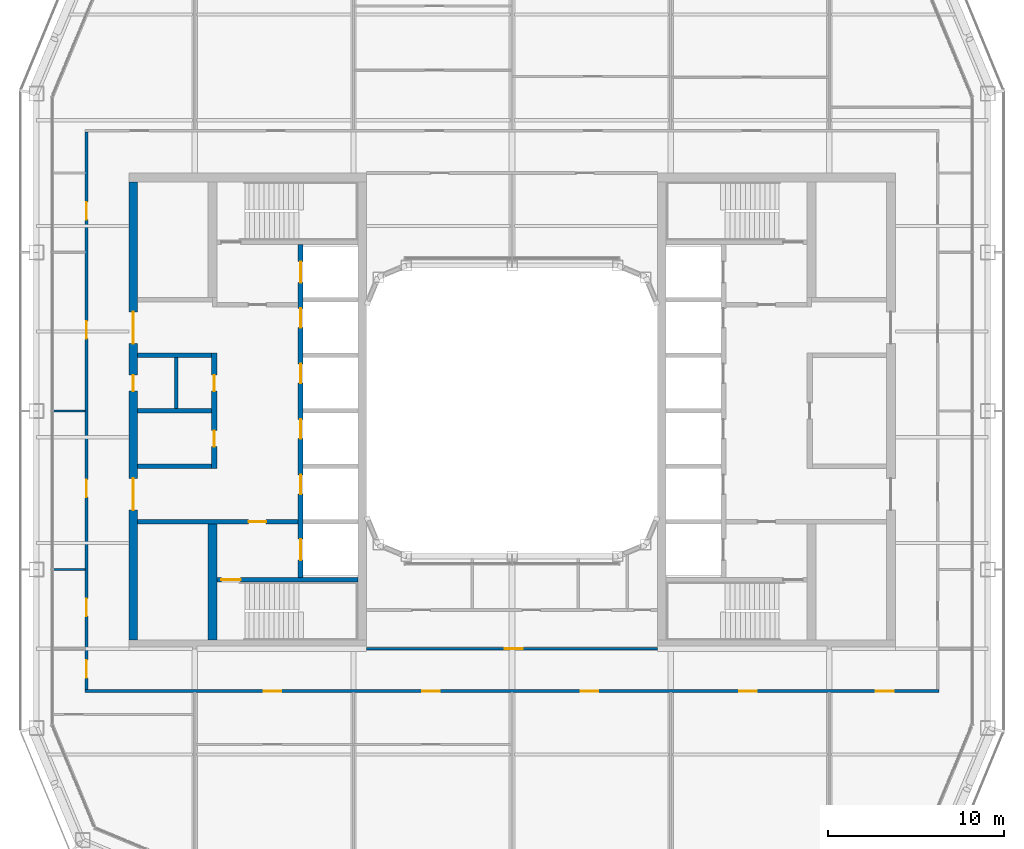
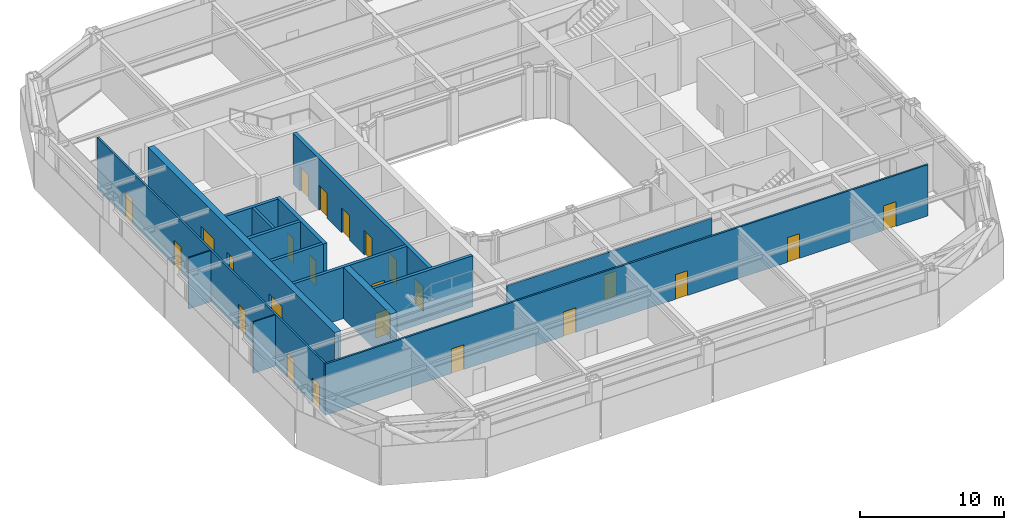
# One storey, part 12 of 19: 24 doors, 15 walls, 24 openings.
"""IFC4 building model written with IfcOpenShell, lengths in metres."""

import ifcopenshell
import ifcopenshell.guid

model = None  # the IFC model being written
_history = None  # IfcOwnerHistory: only IFC2X3 demands one
_inside = {}  # id of a spatial element -> (the spatial element, [elements in it])
_under = {}  # id of a project, library or spatial element -> (it, [spatial elements below it])
_declared = {}  # id of a project -> (the project, [libraries it declares])
_typed = {}  # id of a type object -> (the type object, [elements of that type])
_made_of = {}  # id of a material, layer set ... -> (it, [elements and type objects made of it])


def new_model(schema):
    """Start an empty IFC model of exactly this schema.

    Asked for "IFC4X3", IfcOpenShell would pick the latest addendum, in which some entities
    have other attributes; the version numbers below select the first issue.
    IFC2X3 requires an IfcOwnerHistory on every rooted entity: one is made here for all.
    """
    global model, _history
    if schema == "IFC4X3":
        model = ifcopenshell.file(schema_version=(4, 3, 0, 0))
    else:
        model = ifcopenshell.file(schema=schema)
    _inside.clear()
    _under.clear()
    _declared.clear()
    _typed.clear()
    _made_of.clear()
    _history = None
    if model.schema == "IFC2X3":
        org = make("IfcOrganization", Name="unknown")
        user = make(
            "IfcPersonAndOrganization",
            ThePerson=make("IfcPerson", FamilyName="unknown"),
            TheOrganization=org,
        )
        app = make(
            "IfcApplication",
            ApplicationDeveloper=org,
            Version="unknown",
            ApplicationFullName="unknown",
            ApplicationIdentifier="unknown",
        )
        _history = make(
            "IfcOwnerHistory",
            OwningUser=user,
            OwningApplication=app,
            ChangeAction="ADDED",
            CreationDate=0,
        )
    return model


def make(cls, **values):
    """One entity of the class cls with the attributes given. An attribute that is None is left unset."""
    return model.create_entity(
        cls, **{name: value for name, value in values.items() if value is not None}
    )


def rooted(cls, **values):
    """An entity with a GlobalId (a new one), such as an element, a storey or a relation."""
    return make(cls, GlobalId=ifcopenshell.guid.new(), OwnerHistory=_history, **values)


def si_unit(unit_type, name, prefix=None):
    """IfcSIUnit, for example si_unit("LENGTHUNIT", "METRE", prefix="MILLI")."""
    return make("IfcSIUnit", UnitType=unit_type, Prefix=prefix, Name=name)


def assignment(units):
    """IfcUnitAssignment: the units of a project."""
    return None if units is None else make("IfcUnitAssignment", Units=units)


def point(xyz):
    """IfcCartesianPoint."""
    return None if xyz is None else make("IfcCartesianPoint", Coordinates=xyz)


def direction(xyz):
    """IfcDirection."""
    return None if xyz is None else make("IfcDirection", DirectionRatios=xyz)


def frame(location, z_axis=None, x_axis=None):
    """IfcAxis2Placement3D, a coordinate frame: its origin and axes. An axis left out is left unset."""
    return make(
        "IfcAxis2Placement3D",
        Location=point(location),
        Axis=direction(z_axis),
        RefDirection=direction(x_axis),
    )


def frame_2d(location, x_axis=None):
    """IfcAxis2Placement2D, a coordinate frame in the plane: its origin and x axis."""
    return make(
        "IfcAxis2Placement2D", Location=point(location), RefDirection=direction(x_axis)
    )


def origin():
    """The frame at (0, 0, 0) with its axes left unset."""
    return frame((0.0, 0.0, 0.0))


def place(relative_to, where):
    """IfcLocalPlacement: puts the frame where relative to a parent placement (None: the world)."""
    return make(
        "IfcLocalPlacement", PlacementRelTo=relative_to, RelativePlacement=where
    )


def context(
    kind, dimensions, precision=None, world=None, true_north=None, identifier=None
):
    """IfcGeometricRepresentationContext, for example the 3D "Model" context."""
    return make(
        "IfcGeometricRepresentationContext",
        ContextIdentifier=identifier,
        ContextType=kind,
        CoordinateSpaceDimension=dimensions,
        Precision=precision,
        WorldCoordinateSystem=world,
        TrueNorth=true_north,
    )


def subcontext(parent, identifier, kind, view, scale=None):
    """IfcGeometricRepresentationSubContext, for example "Body" below "Model"."""
    return make(
        "IfcGeometricRepresentationSubContext",
        ContextIdentifier=identifier,
        ContextType=kind,
        ParentContext=parent,
        TargetScale=scale,
        TargetView=view,
    )


def project(units=None, contexts=None):
    """IfcProject with its units and contexts."""
    return rooted(
        "IfcProject",
        Name="project",
        RepresentationContexts=contexts,
        UnitsInContext=assignment(units),
    )


def spatial(cls, under=None, at=None, **own):
    """A site, building, storey or space (cls), placed at a placement, below another one or the project."""
    s = rooted(cls, ObjectPlacement=at, **own)
    if under is not None:
        _under.setdefault(under.id(), (under, []))[1].append(s)
    return s


def profile(cls, at=None, kind="AREA", **sizes):
    """A parametric profile (cls). Its sizes go by their IFC names, for example OverallWidth=200.0."""
    return make(cls, ProfileType=kind, Position=at, **sizes)


def rectangle(**sizes):
    """IfcRectangleProfileDef."""
    return profile("IfcRectangleProfileDef", **sizes)


def extrude(swept, where, along, depth):
    """IfcExtrudedAreaSolid: the profile swept, set in the frame where, extruded along a direction by depth."""
    return make(
        "IfcExtrudedAreaSolid",
        SweptArea=swept,
        Position=where,
        ExtrudedDirection=direction(along),
        Depth=depth,
    )


def shape(context_of_items, identifier, shape_type, items):
    """IfcShapeRepresentation: the items that make up one representation, for example the "Body"."""
    return make(
        "IfcShapeRepresentation",
        ContextOfItems=context_of_items,
        RepresentationIdentifier=identifier,
        RepresentationType=shape_type,
        Items=items,
    )


def material(Name=None, Category=None):
    """IfcMaterial."""
    return make("IfcMaterial", Name=Name, Category=Category)


def layer(
    of_material, thickness, ventilated=None, Name=None, Category=None, Priority=None
):
    """IfcMaterialLayer: one layer of a wall or slab, of a material (None: an air gap)."""
    return make(
        "IfcMaterialLayer",
        Material=of_material,
        LayerThickness=thickness,
        IsVentilated=ventilated,
        Name=Name,
        Category=Category,
        Priority=Priority,
    )


def layer_set(layers, Name=None):
    """IfcMaterialLayerSet."""
    return make("IfcMaterialLayerSet", MaterialLayers=layers, LayerSetName=Name)


def made_of(thing, what):
    """Note that an element or type object is made of a material, layer set ...; save() writes the relation."""
    if what is not None:
        _made_of.setdefault(what.id(), (what, []))[1].append(thing)
    return thing


def type_object(cls, material=None, **own):
    """A type object (cls), such as IfcWallType, which elements share."""
    return made_of(rooted(cls, **own), material)


def element(
    cls,
    number,
    at=None,
    inside=None,
    cuts=None,
    type_object=None,
    material=None,
    context=None,
    identifier="Body",
    shape_type=None,
    held_by="IfcProductDefinitionShape",
    body=None,
    shapes=None,
    **own,
):
    """One element of the class cls, such as IfcWall. Its Tag is "e" and its number.

    at: its placement. inside: the storey or other place that contains it. cuts: it is an
    opening in that element (IfcRelVoidsElement). A single representation is given by context,
    identifier, shape_type and body (its items); several are given by shapes. held_by: the class
    of the entity that holds the representations. save() writes the other relations.
    """
    e = rooted(cls, Tag="e%d" % number, ObjectPlacement=at, **own)
    if body is not None:
        shapes = [shape(context, identifier, shape_type, body)]
    if shapes is not None:
        e.Representation = make(held_by, Representations=shapes)
    if inside is not None:
        _inside.setdefault(inside.id(), (inside, []))[1].append(e)
    if cuts is not None:
        rooted(
            "IfcRelVoidsElement", RelatingBuildingElement=cuts, RelatedOpeningElement=e
        )
    if type_object is not None:
        _typed.setdefault(type_object.id(), (type_object, []))[1].append(e)
    return made_of(e, material)


def fill(opening, filler):
    """IfcRelFillsElement: the door or window that sits in an opening."""
    return rooted(
        "IfcRelFillsElement",
        RelatingOpeningElement=opening,
        RelatedBuildingElement=filler,
    )


def aggregate(whole, parts):
    """IfcRelAggregates: a whole, such as a stair, and the parts it consists of."""
    return rooted("IfcRelAggregates", RelatingObject=whole, RelatedObjects=parts)


def save(model, path):
    """Write the relations noted so far, then the file.

    IfcRelAggregates (storeys below a building ...), IfcRelContainedInSpatialStructure (elements
    in a storey), IfcRelDefinesByType, IfcRelAssociatesMaterial and IfcRelDeclares: one each for
    every whole, place, type object, material and project.
    """
    for whole, parts in _under.values():
        aggregate(whole, parts)
    for where, things in _inside.values():
        rooted(
            "IfcRelContainedInSpatialStructure",
            RelatedElements=things,
            RelatingStructure=where,
        )
    for kind, things in _typed.values():
        rooted("IfcRelDefinesByType", RelatedObjects=things, RelatingType=kind)
    for what, things in _made_of.values():
        rooted("IfcRelAssociatesMaterial", RelatedObjects=things, RelatingMaterial=what)
    for by, libraries in _declared.values():
        rooted("IfcRelDeclares", RelatingContext=by, RelatedDefinitions=libraries)
    model.write(path)


model = new_model("IFC4")

# Units and contexts
model_context = context("Model", 3, precision=1e-05, world=origin(), true_north=direction((0.0, 1.0)))
body_context = subcontext(model_context, "Body", "Model", "MODEL_VIEW")
ifc_project = project(units=[si_unit("LENGTHUNIT", "METRE"), si_unit("AREAUNIT", "SQUARE_METRE"), si_unit("VOLUMEUNIT", "CUBIC_METRE"), si_unit("PLANEANGLEUNIT", "RADIAN"), si_unit("MASSUNIT", "GRAM", prefix="KILO")], contexts=[model_context])

# Site, building, storey
site_placement = place(None, origin())
site = spatial("IfcSite", under=ifc_project, at=site_placement, CompositionType="ELEMENT")
building_placement = place(site_placement, origin())
building = spatial("IfcBuilding", under=site, at=building_placement, Name="Siwar Civic Tower", CompositionType="ELEMENT")
storey_placement = place(building_placement, frame((0.0, 0.0, 210.699951171875)))
storey = spatial("IfcBuildingStorey", under=building, at=storey_placement, Name="L45", CompositionType="ELEMENT", Elevation=210.699951171875)

# Wall
ifc_material_1 = material(Name="Gypsum board on steel studs", Category="steel")
ifc_layer_1 = layer(ifc_material_1, 0.199951171875)
ifc_layer_set_1 = layer_set([ifc_layer_1], Name="Gypsum board on steel studs")
wall_type_1 = type_object("IfcWallType", Name="CORE-PARTITION-200", PredefinedType="PARTITIONING", material=ifc_layer_set_1)
wall_1_placement = place(storey_placement, frame((-19.050048828125, 0.125, 0.0), z_axis=(0.0, 0.0, 1.0), x_axis=(0.0, 1.0, 0.0)))
element("IfcWall", 1, at=wall_1_placement, inside=storey, type_object=wall_type_1, Name="Core partition W", PredefinedType="PARTITIONING", context=body_context, shape_type="SweptSolid", body=[
    extrude(rectangle(XDim=2.89990234375, YDim=0.199951171875, at=frame_2d((1.449951171875, 0.0))), origin(), (0.0, 0.0, 1.0), 4.35009765625),
])

# Wall, opening, door
ifc_material_2 = material(Name="Concrete C60/75", Category="concrete")
ifc_layer_2 = layer(ifc_material_2, 0.25)
ifc_layer_set_2 = layer_set([ifc_layer_2], Name="Concrete C60/75")
wall_type_2 = type_object("IfcWallType", Name="CORE-WALL-RC250", PredefinedType="SHEAR", material=ifc_layer_set_2)
wall_2_placement = place(storey_placement, frame((-12.14990234375, -6.300048828125, 0.0), z_axis=(0.0, 0.0, 1.0), x_axis=(-1.0, 0.0, 0.0)))
wall_2 = element("IfcWall", 2, at=wall_2_placement, inside=storey, type_object=wall_type_2, Name="Core wall W", PredefinedType="SHEAR", context=body_context, shape_type="SweptSolid", body=[
    extrude(rectangle(XDim=9.10009765625, YDim=0.25, at=frame_2d((4.550048828125, 0.0))), origin(), (0.0, 0.0, 1.0), 4.35009765625),
])
opening_1_placement = place(wall_2_placement, frame((1.800048828125, 0.0, 0.0)))
opening_1 = element("IfcOpeningElement", 3, at=opening_1_placement, cuts=wall_2, Name="Opening L45-CW02", PredefinedType="OPENING", context=body_context, shape_type="SweptSolid", body=[
    extrude(rectangle(XDim=1.0, YDim=2.10009765625, at=frame_2d((0.5, 1.050048828125))), frame((0.0, 0.135009765625, 0.0), z_axis=(0.0, -1.0, 0.0), x_axis=(1.0, 0.0, 0.0)), (0.0, 0.0, 1.0), 0.27001953125),
])
ifc_material_3 = material(Name="Steel door leaf", Category="steel")
door_type_1 = type_object("IfcDoorType", Name="CORE-DOOR-FD30S", OperationType="SINGLE_SWING_LEFT", PredefinedType="DOOR", material=ifc_material_3)
door_1_placement = place(opening_1_placement, origin())
door_1 = element("IfcDoor", 4, at=door_1_placement, inside=storey, type_object=door_type_1, Name="Service lobby door L45-CW02", OperationType="SINGLE_SWING_RIGHT", OverallHeight=2.10009765625, OverallWidth=1.0, PredefinedType="DOOR", context=body_context, shape_type="SweptSolid", body=[
    extrude(rectangle(XDim=1.0, YDim=2.10009765625, at=frame_2d((0.5, 1.050048828125))), frame((0.0, 0.02490234375, 0.0), z_axis=(0.0, -1.0, 0.0), x_axis=(1.0, 0.0, 0.0)), (0.0, 0.0, 1.0), 0.050048828125),
])
fill(opening_1, door_1)

# Walls
for number, where, z_axis, x_axis, name in (
    (5, (-17.050048828125, 0.0, 0.0), (0.0, 0.0, 1.0), (-1.0, 0.0, 0.0), "Core wall W"),
    (6, (-17.050048828125, 3.14990234375, 0.0), (0.0, 0.0, 1.0), (-1.0, 0.0, 0.0), "Core wall W"),
    (7, (-17.050048828125, -3.14990234375, 0.0), (0.0, 0.0, 1.0), (-1.0, 0.0, 0.0), "Core wall W"),
):
    element("IfcWall", number, at=place(storey_placement, frame(where, z_axis=z_axis, x_axis=x_axis)), inside=storey, type_object=wall_type_2, Name=name, PredefinedType="SHEAR", context=body_context, shape_type="SweptSolid", body=[
        extrude(rectangle(XDim=4.199951171875, YDim=0.25, at=frame_2d((2.10009765625, 0.0))), origin(), (0.0, 0.0, 1.0), 4.35009765625),
    ])

# Wall, opening, door
wall_3_placement = place(storey_placement, frame((-8.75, -9.574951171875, 0.0), z_axis=(0.0, 0.0, 1.0), x_axis=(-1.0, 0.0, 0.0)))
wall_3 = element("IfcWall", 8, at=wall_3_placement, inside=storey, type_object=wall_type_2, Name="Core wall W", PredefinedType="SHEAR", context=body_context, shape_type="SweptSolid", body=[
    extrude(rectangle(XDim=8.0, YDim=0.25, at=frame_2d((4.0, 0.0))), origin(), (0.0, 0.0, 1.0), 4.35009765625),
])
opening_2_placement = place(wall_3_placement, frame((6.64990234375, 0.0, 0.0)))
opening_2 = element("IfcOpeningElement", 9, at=opening_2_placement, cuts=wall_3, Name="Opening L45-CW04", PredefinedType="OPENING", context=body_context, shape_type="SweptSolid", body=[
    extrude(rectangle(XDim=1.10009765625, YDim=2.10009765625, at=frame_2d((0.550048828125, 1.050048828125))), frame((0.0, 0.135009765625, 0.0), z_axis=(0.0, -1.0, 0.0), x_axis=(1.0, 0.0, 0.0)), (0.0, 0.0, 1.0), 0.27001953125),
])
ifc_material_4 = material(Name="Steel door leaf", Category="steel")
door_type_2 = type_object("IfcDoorType", Name="CORE-DOOR-FD60S", OperationType="SINGLE_SWING_LEFT", PredefinedType="DOOR", material=ifc_material_4)
door_2_placement = place(opening_2_placement, origin())
door_2 = element("IfcDoor", 10, at=door_2_placement, inside=storey, type_object=door_type_2, Name="Stair door L45-CW04", OperationType="SINGLE_SWING_LEFT", OverallHeight=2.10009765625, OverallWidth=1.10009765625, PredefinedType="DOOR", context=body_context, shape_type="SweptSolid", body=[
    extrude(rectangle(XDim=1.10009765625, YDim=2.10009765625, at=frame_2d((0.550048828125, 1.050048828125))), frame((0.0, 0.02490234375, 0.0), z_axis=(0.0, -1.0, 0.0), x_axis=(1.0, 0.0, 0.0)), (0.0, 0.0, 1.0), 0.050048828125),
])
fill(opening_2, door_2)

# Wall, openings, doors
ifc_material_5 = material(Name="Concrete C60/75", Category="concrete")
ifc_layer_3 = layer(ifc_material_5, 0.300048828125)
ifc_layer_set_3 = layer_set([ifc_layer_3], Name="Concrete C60/75")
wall_type_3 = type_object("IfcWallType", Name="CORE-WALL-RC300", PredefinedType="SHEAR", material=ifc_layer_set_3)
wall_4_placement = place(storey_placement, frame((-12.0, -9.449951171875, 0.0), z_axis=(0.0, 0.0, 1.0), x_axis=(0.0, 1.0, 0.0)))
wall_4 = element("IfcWall", 11, at=wall_4_placement, inside=storey, type_object=wall_type_3, Name="Core wall W", PredefinedType="SHEAR", context=body_context, shape_type="SweptSolid", body=[
    extrude(rectangle(XDim=18.89990234375, YDim=0.300048828125, at=frame_2d((9.449951171875, 0.0))), origin(), (0.0, 0.0, 1.0), 4.35009765625),
])
opening_3_placement = place(wall_4_placement, frame((4.72509765625, 0.0, 0.0)))
opening_3 = element("IfcOpeningElement", 12, at=opening_3_placement, cuts=wall_4, Name="Opening L45-CW07", PredefinedType="OPENING", context=body_context, shape_type="SweptSolid", body=[
    extrude(rectangle(XDim=1.10009765625, YDim=2.10009765625, at=frame_2d((0.550048828125, 1.050048828125))), frame((0.0, 0.16015625, 0.0), z_axis=(0.0, -1.0, 0.0), x_axis=(1.0, 0.0, 0.0)), (0.0, 0.0, 1.0), 0.320068359375),
])
opening_4_placement = place(wall_4_placement, frame((7.875, 0.0, 0.0)))
opening_4 = element("IfcOpeningElement", 13, at=opening_4_placement, cuts=wall_4, Name="Opening L45-CW08", PredefinedType="OPENING", context=body_context, shape_type="SweptSolid", body=[
    extrude(rectangle(XDim=1.10009765625, YDim=2.10009765625, at=frame_2d((0.550048828125, 1.050048828125))), frame((0.0, 0.16015625, 0.0), z_axis=(0.0, -1.0, 0.0), x_axis=(1.0, 0.0, 0.0)), (0.0, 0.0, 1.0), 0.320068359375),
])
opening_5_placement = place(wall_4_placement, frame((11.02490234375, 0.0, 0.0)))
opening_5 = element("IfcOpeningElement", 14, at=opening_5_placement, cuts=wall_4, Name="Opening L45-CW09", PredefinedType="OPENING", context=body_context, shape_type="SweptSolid", body=[
    extrude(rectangle(XDim=1.10009765625, YDim=2.10009765625, at=frame_2d((0.550048828125, 1.050048828125))), frame((0.0, 0.16015625, 0.0), z_axis=(0.0, -1.0, 0.0), x_axis=(1.0, 0.0, 0.0)), (0.0, 0.0, 1.0), 0.320068359375),
])
opening_6_placement = place(wall_4_placement, frame((14.175048828125, 0.0, 0.0)))
opening_6 = element("IfcOpeningElement", 15, at=opening_6_placement, cuts=wall_4, Name="Opening L45-CW10", PredefinedType="OPENING", context=body_context, shape_type="SweptSolid", body=[
    extrude(rectangle(XDim=1.10009765625, YDim=2.10009765625, at=frame_2d((0.550048828125, 1.050048828125))), frame((0.0, 0.16015625, 0.0), z_axis=(0.0, -1.0, 0.0), x_axis=(1.0, 0.0, 0.0)), (0.0, 0.0, 1.0), 0.320068359375),
])
opening_7_placement = place(wall_4_placement, frame((16.72509765625, 0.0, 0.0)))
opening_7 = element("IfcOpeningElement", 16, at=opening_7_placement, cuts=wall_4, Name="Opening L45-CW11", PredefinedType="OPENING", context=body_context, shape_type="SweptSolid", body=[
    extrude(rectangle(XDim=1.199951171875, YDim=2.10009765625, at=frame_2d((0.60009765625, 1.050048828125))), frame((0.0, 0.16015625, 0.0), z_axis=(0.0, -1.0, 0.0), x_axis=(1.0, 0.0, 0.0)), (0.0, 0.0, 1.0), 0.320068359375),
])
opening_8_placement = place(wall_4_placement, frame((0.97509765625, 0.0, 0.0)))
opening_8 = element("IfcOpeningElement", 17, at=opening_8_placement, cuts=wall_4, Name="Opening L45-CW12", PredefinedType="OPENING", context=body_context, shape_type="SweptSolid", body=[
    extrude(rectangle(XDim=1.199951171875, YDim=2.10009765625, at=frame_2d((0.60009765625, 1.050048828125))), frame((0.0, 0.16015625, 0.0), z_axis=(0.0, -1.0, 0.0), x_axis=(1.0, 0.0, 0.0)), (0.0, 0.0, 1.0), 0.320068359375),
])
ifc_material_6 = material(Name="Steel door leaf", Category="steel")
door_type_3 = type_object("IfcDoorType", Name="CORE-DOOR-LD", OperationType="DOUBLE_DOOR_SLIDING", PredefinedType="DOOR", material=ifc_material_6)
door_3_placement = place(opening_3_placement, origin())
door_3 = element("IfcDoor", 18, at=door_3_placement, inside=storey, type_object=door_type_3, Name="Landing door HR1 L45-CW07", OperationType="DOUBLE_DOOR_SLIDING", OverallHeight=2.10009765625, OverallWidth=1.10009765625, PredefinedType="DOOR", context=body_context, shape_type="SweptSolid", body=[
    extrude(rectangle(XDim=1.10009765625, YDim=2.10009765625, at=frame_2d((0.550048828125, 1.050048828125))), frame((0.0, 0.02490234375, 0.0), z_axis=(0.0, -1.0, 0.0), x_axis=(1.0, 0.0, 0.0)), (0.0, 0.0, 1.0), 0.050048828125),
])
fill(opening_3, door_3)
door_4_placement = place(opening_4_placement, origin())
door_4 = element("IfcDoor", 19, at=door_4_placement, inside=storey, type_object=door_type_3, Name="Landing door HR2 L45-CW08", OperationType="DOUBLE_DOOR_SLIDING", OverallHeight=2.10009765625, OverallWidth=1.10009765625, PredefinedType="DOOR", context=body_context, shape_type="SweptSolid", body=[
    extrude(rectangle(XDim=1.10009765625, YDim=2.10009765625, at=frame_2d((0.550048828125, 1.050048828125))), frame((0.0, 0.02490234375, 0.0), z_axis=(0.0, -1.0, 0.0), x_axis=(1.0, 0.0, 0.0)), (0.0, 0.0, 1.0), 0.050048828125),
])
fill(opening_4, door_4)
door_5_placement = place(opening_5_placement, origin())
door_5 = element("IfcDoor", 20, at=door_5_placement, inside=storey, type_object=door_type_3, Name="Landing door HR3 L45-CW09", OperationType="DOUBLE_DOOR_SLIDING", OverallHeight=2.10009765625, OverallWidth=1.10009765625, PredefinedType="DOOR", context=body_context, shape_type="SweptSolid", body=[
    extrude(rectangle(XDim=1.10009765625, YDim=2.10009765625, at=frame_2d((0.550048828125, 1.050048828125))), frame((0.0, 0.02490234375, 0.0), z_axis=(0.0, -1.0, 0.0), x_axis=(1.0, 0.0, 0.0)), (0.0, 0.0, 1.0), 0.050048828125),
])
fill(opening_5, door_5)
door_6_placement = place(opening_6_placement, origin())
door_6 = element("IfcDoor", 21, at=door_6_placement, inside=storey, type_object=door_type_3, Name="Landing door HR4 L45-CW10", OperationType="DOUBLE_DOOR_SLIDING", OverallHeight=2.10009765625, OverallWidth=1.10009765625, PredefinedType="DOOR", context=body_context, shape_type="SweptSolid", body=[
    extrude(rectangle(XDim=1.10009765625, YDim=2.10009765625, at=frame_2d((0.550048828125, 1.050048828125))), frame((0.0, 0.02490234375, 0.0), z_axis=(0.0, -1.0, 0.0), x_axis=(1.0, 0.0, 0.0)), (0.0, 0.0, 1.0), 0.050048828125),
])
fill(opening_6, door_6)
ifc_material_7 = material(Name="Steel door leaf", Category="steel")
door_type_4 = type_object("IfcDoorType", Name="CORE-DOOR-LDW", OperationType="DOUBLE_DOOR_SLIDING", PredefinedType="DOOR", material=ifc_material_7)
door_7_placement = place(opening_7_placement, origin())
door_7 = element("IfcDoor", 22, at=door_7_placement, inside=storey, type_object=door_type_4, Name="Landing door FF1 L45-CW11", OperationType="DOUBLE_DOOR_SLIDING", OverallHeight=2.10009765625, OverallWidth=1.199951171875, PredefinedType="DOOR", context=body_context, shape_type="SweptSolid", body=[
    extrude(rectangle(XDim=1.199951171875, YDim=2.10009765625, at=frame_2d((0.60009765625, 1.050048828125))), frame((0.0, 0.02490234375, 0.0), z_axis=(0.0, -1.0, 0.0), x_axis=(1.0, 0.0, 0.0)), (0.0, 0.0, 1.0), 0.050048828125),
])
fill(opening_7, door_7)
door_8_placement = place(opening_8_placement, origin())
door_8 = element("IfcDoor", 23, at=door_8_placement, inside=storey, type_object=door_type_4, Name="Landing door SV1 L45-CW12", OperationType="DOUBLE_DOOR_SLIDING", OverallHeight=2.10009765625, OverallWidth=1.199951171875, PredefinedType="DOOR", context=body_context, shape_type="SweptSolid", body=[
    extrude(rectangle(XDim=1.199951171875, YDim=2.10009765625, at=frame_2d((0.60009765625, 1.050048828125))), frame((0.0, 0.02490234375, 0.0), z_axis=(0.0, -1.0, 0.0), x_axis=(1.0, 0.0, 0.0)), (0.0, 0.0, 1.0), 0.050048828125),
])
fill(opening_8, door_8)

wall_5_placement = place(storey_placement, frame((-16.89990234375, -3.27490234375, 0.0), z_axis=(0.0, 0.0, 1.0), x_axis=(0.0, 1.0, 0.0)))
wall_5 = element("IfcWall", 24, at=wall_5_placement, inside=storey, type_object=wall_type_3, Name="Core wall W", PredefinedType="SHEAR", context=body_context, shape_type="SweptSolid", body=[
    extrude(rectangle(XDim=6.5498046875, YDim=0.300048828125, at=frame_2d((3.27490234375, 0.0))), origin(), (0.0, 0.0, 1.0), 4.35009765625),
])
opening_9_placement = place(wall_5_placement, frame((1.25, 0.0, 0.0)))
opening_9 = element("IfcOpeningElement", 25, at=opening_9_placement, cuts=wall_5, Name="Opening L45-CW13", PredefinedType="OPENING", context=body_context, shape_type="SweptSolid", body=[
    extrude(rectangle(XDim=0.89990234375, YDim=2.10009765625, at=frame_2d((0.449951171875, 1.050048828125))), frame((0.0, 0.16015625, 0.0), z_axis=(0.0, -1.0, 0.0), x_axis=(1.0, 0.0, 0.0)), (0.0, 0.0, 1.0), 0.320068359375),
])
opening_10_placement = place(wall_5_placement, frame((4.39990234375, 0.0, 0.0)))
opening_10 = element("IfcOpeningElement", 26, at=opening_10_placement, cuts=wall_5, Name="Opening L45-CW14", PredefinedType="OPENING", context=body_context, shape_type="SweptSolid", body=[
    extrude(rectangle(XDim=0.89990234375, YDim=2.10009765625, at=frame_2d((0.449951171875, 1.050048828125))), frame((0.0, 0.16015625, 0.0), z_axis=(0.0, -1.0, 0.0), x_axis=(1.0, 0.0, 0.0)), (0.0, 0.0, 1.0), 0.320068359375),
])
ifc_material_8 = material(Name="Steel door leaf", Category="steel")
door_type_5 = type_object("IfcDoorType", Name="CORE-DOOR-ROOM", OperationType="SINGLE_SWING_LEFT", PredefinedType="DOOR", material=ifc_material_8)
door_9_placement = place(opening_9_placement, origin())
door_9 = element("IfcDoor", 27, at=door_9_placement, inside=storey, type_object=door_type_5, Name="Core room door L45-CW13", OperationType="SINGLE_SWING_LEFT", OverallHeight=2.10009765625, OverallWidth=0.89990234375, PredefinedType="DOOR", context=body_context, shape_type="SweptSolid", body=[
    extrude(rectangle(XDim=0.89990234375, YDim=2.10009765625, at=frame_2d((0.449951171875, 1.050048828125))), frame((0.0, 0.02490234375, 0.0), z_axis=(0.0, -1.0, 0.0), x_axis=(1.0, 0.0, 0.0)), (0.0, 0.0, 1.0), 0.050048828125),
])
fill(opening_9, door_9)
door_10_placement = place(opening_10_placement, origin())
door_10 = element("IfcDoor", 28, at=door_10_placement, inside=storey, type_object=door_type_5, Name="Core room door L45-CW14", OperationType="SINGLE_SWING_RIGHT", OverallHeight=2.10009765625, OverallWidth=0.89990234375, PredefinedType="DOOR", context=body_context, shape_type="SweptSolid", body=[
    extrude(rectangle(XDim=0.89990234375, YDim=2.10009765625, at=frame_2d((0.449951171875, 1.050048828125))), frame((0.0, 0.02490234375, 0.0), z_axis=(0.0, -1.0, 0.0), x_axis=(1.0, 0.0, 0.0)), (0.0, 0.0, 1.0), 0.050048828125),
])
fill(opening_10, door_10)

ifc_material_9 = material(Name="Concrete C60/75", Category="concrete")
ifc_layer_4 = layer(ifc_material_9, 0.5)
ifc_layer_set_4 = layer_set([ifc_layer_4], Name="Concrete C60/75")
wall_type_4 = type_object("IfcWallType", Name="CORE-WALL-RC500", PredefinedType="SHEAR", material=ifc_layer_set_4)
wall_6_placement = place(storey_placement, frame((-21.5, -13.0, 0.0), z_axis=(0.0, 0.0, 1.0), x_axis=(0.0, 1.0, 0.0)))
wall_6 = element("IfcWall", 29, at=wall_6_placement, inside=storey, type_object=wall_type_4, Name="Core wall W", PredefinedType="SHEAR", context=body_context, shape_type="SweptSolid", body=[
    extrude(rectangle(XDim=26.0, YDim=0.5, at=frame_2d((13.0, 0.0))), origin(), (0.0, 0.0, 1.0), 4.35009765625),
])
opening_11_placement = place(wall_6_placement, frame((16.824951171875, 0.0, 0.0)))
opening_11 = element("IfcOpeningElement", 30, at=opening_11_placement, cuts=wall_6, Name="Opening L45-CW05", PredefinedType="OPENING", context=body_context, shape_type="SweptSolid", body=[
    extrude(rectangle(XDim=1.800048828125, YDim=2.10009765625, at=frame_2d((0.89990234375, 1.050048828125))), frame((0.0, 0.260009765625, 0.0), z_axis=(0.0, -1.0, 0.0), x_axis=(1.0, 0.0, 0.0)), (0.0, 0.0, 1.0), 0.52001953125),
])
opening_12_placement = place(wall_6_placement, frame((7.375, 0.0, 0.0)))
opening_12 = element("IfcOpeningElement", 31, at=opening_12_placement, cuts=wall_6, Name="Opening L45-CW06", PredefinedType="OPENING", context=body_context, shape_type="SweptSolid", body=[
    extrude(rectangle(XDim=1.800048828125, YDim=2.10009765625, at=frame_2d((0.89990234375, 1.050048828125))), frame((0.0, 0.260009765625, 0.0), z_axis=(0.0, -1.0, 0.0), x_axis=(1.0, 0.0, 0.0)), (0.0, 0.0, 1.0), 0.52001953125),
])
opening_13_placement = place(wall_6_placement, frame((14.125, 0.0, 0.0)))
opening_13 = element("IfcOpeningElement", 32, at=opening_13_placement, cuts=wall_6, Name="Opening L45-CW15", PredefinedType="OPENING", context=body_context, shape_type="SweptSolid", body=[
    extrude(rectangle(XDim=0.89990234375, YDim=2.10009765625, at=frame_2d((0.449951171875, 1.050048828125))), frame((0.0, 0.260009765625, 0.0), z_axis=(0.0, -1.0, 0.0), x_axis=(1.0, 0.0, 0.0)), (0.0, 0.0, 1.0), 0.52001953125),
])
ifc_material_10 = material(Name="Steel door leaf", Category="steel")
door_type_6 = type_object("IfcDoorType", Name="CORE-DOOR-PORT", OperationType="DOUBLE_DOOR_DOUBLE_SWING", PredefinedType="DOOR", material=ifc_material_10)
door_11_placement = place(opening_11_placement, origin())
door_11 = element("IfcDoor", 33, at=door_11_placement, inside=storey, type_object=door_type_6, Name="Core entrance door L45-CW05", OperationType="DOUBLE_DOOR_DOUBLE_SWING", OverallHeight=2.10009765625, OverallWidth=1.800048828125, PredefinedType="DOOR", context=body_context, shape_type="SweptSolid", body=[
    extrude(rectangle(XDim=1.800048828125, YDim=2.10009765625, at=frame_2d((0.89990234375, 1.050048828125))), frame((0.0, 0.02490234375, 0.0), z_axis=(0.0, -1.0, 0.0), x_axis=(1.0, 0.0, 0.0)), (0.0, 0.0, 1.0), 0.050048828125),
])
fill(opening_11, door_11)
door_12_placement = place(opening_12_placement, origin())
door_12 = element("IfcDoor", 34, at=door_12_placement, inside=storey, type_object=door_type_6, Name="Core entrance door L45-CW06", OperationType="DOUBLE_DOOR_DOUBLE_SWING", OverallHeight=2.10009765625, OverallWidth=1.800048828125, PredefinedType="DOOR", context=body_context, shape_type="SweptSolid", body=[
    extrude(rectangle(XDim=1.800048828125, YDim=2.10009765625, at=frame_2d((0.89990234375, 1.050048828125))), frame((0.0, 0.02490234375, 0.0), z_axis=(0.0, -1.0, 0.0), x_axis=(1.0, 0.0, 0.0)), (0.0, 0.0, 1.0), 0.050048828125),
])
fill(opening_12, door_12)
door_13_placement = place(opening_13_placement, origin())
door_13 = element("IfcDoor", 35, at=door_13_placement, inside=storey, type_object=door_type_5, Name="Core room door L45-CW15", OperationType="SINGLE_SWING_LEFT", OverallHeight=2.10009765625, OverallWidth=0.89990234375, PredefinedType="DOOR", context=body_context, shape_type="SweptSolid", body=[
    extrude(rectangle(XDim=0.89990234375, YDim=2.10009765625, at=frame_2d((0.449951171875, 1.050048828125))), frame((0.0, 0.02490234375, 0.0), z_axis=(0.0, -1.0, 0.0), x_axis=(1.0, 0.0, 0.0)), (0.0, 0.0, 1.0), 0.050048828125),
])
fill(opening_13, door_13)

# Wall
wall_7_placement = place(storey_placement, frame((-17.0, -13.0, 0.0), z_axis=(0.0, 0.0, 1.0), x_axis=(0.0, 1.0, 0.0)))
element("IfcWall", 36, at=wall_7_placement, inside=storey, type_object=wall_type_4, Name="Core wall W", PredefinedType="SHEAR", context=body_context, shape_type="SweptSolid", body=[
    extrude(rectangle(XDim=6.574951171875, YDim=0.5, at=frame_2d((3.28759765625, 0.0))), origin(), (0.0, 0.0, 1.0), 4.35009765625),
])

# Wall, openings, doors
ifc_material_11 = material(Name="Gypsum board on steel studs", Category="steel")
ifc_layer_5 = layer(ifc_material_11, 0.14990234375)
ifc_layer_set_5 = layer_set([ifc_layer_5], Name="Gypsum board on steel studs")
wall_type_5 = type_object("IfcWallType", Name="CORRIDOR PARTITION 150 EI 30", PredefinedType="PARTITIONING", material=ifc_layer_set_5)
wall_8_placement = place(storey_placement, frame((-24.22509765625, -15.89990234375, 0.0), z_axis=(0.0, 0.0, 1.0), x_axis=(1.0, 0.0, 0.0)))
wall_8 = element("IfcWall", 37, at=wall_8_placement, inside=storey, type_object=wall_type_5, Name="L45/wall/P03", PredefinedType="PARTITIONING", context=body_context, shape_type="SweptSolid", body=[
    extrude(rectangle(XDim=48.4501953125, YDim=0.14990234375, at=frame_2d((24.22509765625, 0.0))), origin(), (0.0, 0.0, 1.0), 4.35009765625),
])
opening_14_placement = place(wall_8_placement, frame((10.125, 0.0, 0.0)))
opening_14 = element("IfcOpeningElement", 38, at=opening_14_placement, cuts=wall_8, Name="Opening D1", PredefinedType="OPENING", context=body_context, shape_type="SweptSolid", body=[
    extrude(rectangle(XDim=1.0, YDim=2.10009765625, at=frame_2d((0.5, 1.050048828125))), frame((0.0, 0.0849609375, 0.0), z_axis=(0.0, -1.0, 0.0), x_axis=(1.0, 0.0, 0.0)), (0.0, 0.0, 1.0), 0.169921875),
])
opening_15_placement = place(wall_8_placement, frame((19.125, 0.0, 0.0)))
opening_15 = element("IfcOpeningElement", 39, at=opening_15_placement, cuts=wall_8, Name="Opening D1", PredefinedType="OPENING", context=body_context, shape_type="SweptSolid", body=[
    extrude(rectangle(XDim=1.0, YDim=2.10009765625, at=frame_2d((0.5, 1.050048828125))), frame((0.0, 0.0849609375, 0.0), z_axis=(0.0, -1.0, 0.0), x_axis=(1.0, 0.0, 0.0)), (0.0, 0.0, 1.0), 0.169921875),
])
opening_16_placement = place(wall_8_placement, frame((28.125, 0.0, 0.0)))
opening_16 = element("IfcOpeningElement", 40, at=opening_16_placement, cuts=wall_8, Name="Opening D1", PredefinedType="OPENING", context=body_context, shape_type="SweptSolid", body=[
    extrude(rectangle(XDim=1.0, YDim=2.10009765625, at=frame_2d((0.5, 1.050048828125))), frame((0.0, 0.0849609375, 0.0), z_axis=(0.0, -1.0, 0.0), x_axis=(1.0, 0.0, 0.0)), (0.0, 0.0, 1.0), 0.169921875),
])
opening_17_placement = place(wall_8_placement, frame((37.125, 0.0, 0.0)))
opening_17 = element("IfcOpeningElement", 41, at=opening_17_placement, cuts=wall_8, Name="Opening D1", PredefinedType="OPENING", context=body_context, shape_type="SweptSolid", body=[
    extrude(rectangle(XDim=1.0, YDim=2.10009765625, at=frame_2d((0.5, 1.050048828125))), frame((0.0, 0.0849609375, 0.0), z_axis=(0.0, -1.0, 0.0), x_axis=(1.0, 0.0, 0.0)), (0.0, 0.0, 1.0), 0.169921875),
])
opening_18_placement = place(wall_8_placement, frame((44.875, 0.0, 0.0)))
opening_18 = element("IfcOpeningElement", 42, at=opening_18_placement, cuts=wall_8, Name="Opening D1", PredefinedType="OPENING", context=body_context, shape_type="SweptSolid", body=[
    extrude(rectangle(XDim=1.0, YDim=2.10009765625, at=frame_2d((0.5, 1.050048828125))), frame((0.0, 0.0849609375, 0.0), z_axis=(0.0, -1.0, 0.0), x_axis=(1.0, 0.0, 0.0)), (0.0, 0.0, 1.0), 0.169921875),
])
ifc_material_12 = material(Name="Timber, painted", Category="wood")
door_type_7 = type_object("IfcDoorType", Name="DOOR 1000 X 2100 FD30", OperationType="SINGLE_SWING_LEFT", PredefinedType="DOOR", material=ifc_material_12)
door_14_placement = place(opening_14_placement, origin())
door_14 = element("IfcDoor", 43, at=door_14_placement, inside=storey, type_object=door_type_7, Name="L45-D09", OperationType="SINGLE_SWING_LEFT", OverallHeight=2.10009765625, OverallWidth=1.0, PredefinedType="DOOR", context=body_context, shape_type="SweptSolid", body=[
    extrude(rectangle(XDim=1.0, YDim=2.10009765625, at=frame_2d((0.5, 1.050048828125))), frame((0.0, 0.02490234375, 0.0), z_axis=(0.0, -1.0, 0.0), x_axis=(1.0, 0.0, 0.0)), (0.0, 0.0, 1.0), 0.050048828125),
])
fill(opening_14, door_14)
door_15_placement = place(opening_15_placement, origin())
door_15 = element("IfcDoor", 44, at=door_15_placement, inside=storey, type_object=door_type_7, Name="L45-D11", OperationType="SINGLE_SWING_LEFT", OverallHeight=2.10009765625, OverallWidth=1.0, PredefinedType="DOOR", context=body_context, shape_type="SweptSolid", body=[
    extrude(rectangle(XDim=1.0, YDim=2.10009765625, at=frame_2d((0.5, 1.050048828125))), frame((0.0, 0.02490234375, 0.0), z_axis=(0.0, -1.0, 0.0), x_axis=(1.0, 0.0, 0.0)), (0.0, 0.0, 1.0), 0.050048828125),
])
fill(opening_15, door_15)
door_16_placement = place(opening_16_placement, origin())
door_16 = element("IfcDoor", 45, at=door_16_placement, inside=storey, type_object=door_type_7, Name="L45-D13", OperationType="SINGLE_SWING_LEFT", OverallHeight=2.10009765625, OverallWidth=1.0, PredefinedType="DOOR", context=body_context, shape_type="SweptSolid", body=[
    extrude(rectangle(XDim=1.0, YDim=2.10009765625, at=frame_2d((0.5, 1.050048828125))), frame((0.0, 0.02490234375, 0.0), z_axis=(0.0, -1.0, 0.0), x_axis=(1.0, 0.0, 0.0)), (0.0, 0.0, 1.0), 0.050048828125),
])
fill(opening_16, door_16)
door_17_placement = place(opening_17_placement, origin())
door_17 = element("IfcDoor", 46, at=door_17_placement, inside=storey, type_object=door_type_7, Name="L45-D14", OperationType="SINGLE_SWING_RIGHT", OverallHeight=2.10009765625, OverallWidth=1.0, PredefinedType="DOOR", context=body_context, shape_type="SweptSolid", body=[
    extrude(rectangle(XDim=1.0, YDim=2.10009765625, at=frame_2d((0.5, 1.050048828125))), frame((0.0, 0.02490234375, 0.0), z_axis=(0.0, -1.0, 0.0), x_axis=(1.0, 0.0, 0.0)), (0.0, 0.0, 1.0), 0.050048828125),
])
fill(opening_17, door_17)
door_18_placement = place(opening_18_placement, origin())
door_18 = element("IfcDoor", 47, at=door_18_placement, inside=storey, type_object=door_type_7, Name="L45-D20", OperationType="SINGLE_SWING_RIGHT", OverallHeight=2.10009765625, OverallWidth=1.0, PredefinedType="DOOR", context=body_context, shape_type="SweptSolid", body=[
    extrude(rectangle(XDim=1.0, YDim=2.10009765625, at=frame_2d((0.5, 1.050048828125))), frame((0.0, 0.02490234375, 0.0), z_axis=(0.0, -1.0, 0.0), x_axis=(1.0, 0.0, 0.0)), (0.0, 0.0, 1.0), 0.050048828125),
])
fill(opening_18, door_18)

# Wall, opening, door
wall_9_placement = place(storey_placement, frame((-8.25, -13.5, 0.0), z_axis=(0.0, 0.0, 1.0), x_axis=(1.0, 0.0, 0.0)))
wall_9 = element("IfcWall", 48, at=wall_9_placement, inside=storey, type_object=wall_type_5, Name="L45/wall/P06", PredefinedType="PARTITIONING", context=body_context, shape_type="SweptSolid", body=[
    extrude(rectangle(XDim=16.5, YDim=0.14990234375, at=frame_2d((8.25, 0.0))), origin(), (0.0, 0.0, 1.0), 3.949951171875),
])
opening_19_placement = place(wall_9_placement, frame((7.85009765625, 0.0, 0.0)))
opening_19 = element("IfcOpeningElement", 49, at=opening_19_placement, cuts=wall_9, Name="Opening D1", PredefinedType="OPENING", context=body_context, shape_type="SweptSolid", body=[
    extrude(rectangle(XDim=1.0, YDim=2.10009765625, at=frame_2d((0.5, 1.050048828125))), frame((0.0, 0.0849609375, 0.0), z_axis=(0.0, -1.0, 0.0), x_axis=(1.0, 0.0, 0.0)), (0.0, 0.0, 1.0), 0.169921875),
])
door_19_placement = place(opening_19_placement, origin())
door_19 = element("IfcDoor", 50, at=door_19_placement, inside=storey, type_object=door_type_7, Name="L45-D31", OperationType="SINGLE_SWING_LEFT", OverallHeight=2.10009765625, OverallWidth=1.0, PredefinedType="DOOR", context=body_context, shape_type="SweptSolid", body=[
    extrude(rectangle(XDim=1.0, YDim=2.10009765625, at=frame_2d((0.5, 1.050048828125))), frame((0.0, 0.02490234375, 0.0), z_axis=(0.0, -1.0, 0.0), x_axis=(1.0, 0.0, 0.0)), (0.0, 0.0, 1.0), 0.050048828125),
])
fill(opening_19, door_19)

# Wall, openings, doors
wall_10_placement = place(storey_placement, frame((-24.14990234375, -15.824951171875, 0.0), z_axis=(0.0, 0.0, 1.0), x_axis=(0.0, 1.0, 0.0)))
wall_10 = element("IfcWall", 51, at=wall_10_placement, inside=storey, type_object=wall_type_5, Name="L45/wall/P24", PredefinedType="PARTITIONING", context=body_context, shape_type="SweptSolid", body=[
    extrude(rectangle(XDim=31.64990234375, YDim=0.14990234375, at=frame_2d((15.824951171875, 0.0))), origin(), (0.0, 0.0, 1.0), 4.35009765625),
])
opening_20_placement = place(wall_10_placement, frame((0.675048828125, 0.0, 0.0)))
opening_20 = element("IfcOpeningElement", 52, at=opening_20_placement, cuts=wall_10, Name="Opening D1", PredefinedType="OPENING", context=body_context, shape_type="SweptSolid", body=[
    extrude(rectangle(XDim=1.0, YDim=2.10009765625, at=frame_2d((0.5, 1.050048828125))), frame((0.0, 0.0849609375, 0.0), z_axis=(0.0, -1.0, 0.0), x_axis=(1.0, 0.0, 0.0)), (0.0, 0.0, 1.0), 0.169921875),
])
opening_21_placement = place(wall_10_placement, frame((4.175048828125, 0.0, 0.0)))
opening_21 = element("IfcOpeningElement", 53, at=opening_21_placement, cuts=wall_10, Name="Opening D1", PredefinedType="OPENING", context=body_context, shape_type="SweptSolid", body=[
    extrude(rectangle(XDim=1.0, YDim=2.10009765625, at=frame_2d((0.5, 1.050048828125))), frame((0.0, 0.0849609375, 0.0), z_axis=(0.0, -1.0, 0.0), x_axis=(1.0, 0.0, 0.0)), (0.0, 0.0, 1.0), 0.169921875),
])
opening_22_placement = place(wall_10_placement, frame((10.925048828125, 0.0, 0.0)))
opening_22 = element("IfcOpeningElement", 54, at=opening_22_placement, cuts=wall_10, Name="Opening D1", PredefinedType="OPENING", context=body_context, shape_type="SweptSolid", body=[
    extrude(rectangle(XDim=1.0, YDim=2.10009765625, at=frame_2d((0.5, 1.050048828125))), frame((0.0, 0.0849609375, 0.0), z_axis=(0.0, -1.0, 0.0), x_axis=(1.0, 0.0, 0.0)), (0.0, 0.0, 1.0), 0.169921875),
])
opening_23_placement = place(wall_10_placement, frame((19.925048828125, 0.0, 0.0)))
opening_23 = element("IfcOpeningElement", 55, at=opening_23_placement, cuts=wall_10, Name="Opening D1", PredefinedType="OPENING", context=body_context, shape_type="SweptSolid", body=[
    extrude(rectangle(XDim=1.0, YDim=2.10009765625, at=frame_2d((0.5, 1.050048828125))), frame((0.0, 0.0849609375, 0.0), z_axis=(0.0, -1.0, 0.0), x_axis=(1.0, 0.0, 0.0)), (0.0, 0.0, 1.0), 0.169921875),
])
opening_24_placement = place(wall_10_placement, frame((26.675048828125, 0.0, 0.0)))
opening_24 = element("IfcOpeningElement", 56, at=opening_24_placement, cuts=wall_10, Name="Opening D1", PredefinedType="OPENING", context=body_context, shape_type="SweptSolid", body=[
    extrude(rectangle(XDim=1.0, YDim=2.10009765625, at=frame_2d((0.5, 1.050048828125))), frame((0.0, 0.0849609375, 0.0), z_axis=(0.0, -1.0, 0.0), x_axis=(1.0, 0.0, 0.0)), (0.0, 0.0, 1.0), 0.169921875),
])
door_20_placement = place(opening_20_placement, origin())
door_20 = element("IfcDoor", 57, at=door_20_placement, inside=storey, type_object=door_type_7, Name="L45-D18", OperationType="SINGLE_SWING_RIGHT", OverallHeight=2.10009765625, OverallWidth=1.0, PredefinedType="DOOR", context=body_context, shape_type="SweptSolid", body=[
    extrude(rectangle(XDim=1.0, YDim=2.10009765625, at=frame_2d((0.5, 1.050048828125))), frame((0.0, 0.02490234375, 0.0), z_axis=(0.0, -1.0, 0.0), x_axis=(1.0, 0.0, 0.0)), (0.0, 0.0, 1.0), 0.050048828125),
])
fill(opening_20, door_20)
door_21_placement = place(opening_21_placement, origin())
door_21 = element("IfcDoor", 58, at=door_21_placement, inside=storey, type_object=door_type_7, Name="L45-D21", OperationType="SINGLE_SWING_LEFT", OverallHeight=2.10009765625, OverallWidth=1.0, PredefinedType="DOOR", context=body_context, shape_type="SweptSolid", body=[
    extrude(rectangle(XDim=1.0, YDim=2.10009765625, at=frame_2d((0.5, 1.050048828125))), frame((0.0, 0.02490234375, 0.0), z_axis=(0.0, -1.0, 0.0), x_axis=(1.0, 0.0, 0.0)), (0.0, 0.0, 1.0), 0.050048828125),
])
fill(opening_21, door_21)
door_22_placement = place(opening_22_placement, origin())
door_22 = element("IfcDoor", 59, at=door_22_placement, inside=storey, type_object=door_type_7, Name="L45-D22", OperationType="SINGLE_SWING_RIGHT", OverallHeight=2.10009765625, OverallWidth=1.0, PredefinedType="DOOR", context=body_context, shape_type="SweptSolid", body=[
    extrude(rectangle(XDim=1.0, YDim=2.10009765625, at=frame_2d((0.5, 1.050048828125))), frame((0.0, 0.02490234375, 0.0), z_axis=(0.0, -1.0, 0.0), x_axis=(1.0, 0.0, 0.0)), (0.0, 0.0, 1.0), 0.050048828125),
])
fill(opening_22, door_22)
door_23_placement = place(opening_23_placement, origin())
door_23 = element("IfcDoor", 60, at=door_23_placement, inside=storey, type_object=door_type_7, Name="L45-D23", OperationType="SINGLE_SWING_LEFT", OverallHeight=2.10009765625, OverallWidth=1.0, PredefinedType="DOOR", context=body_context, shape_type="SweptSolid", body=[
    extrude(rectangle(XDim=1.0, YDim=2.10009765625, at=frame_2d((0.5, 1.050048828125))), frame((0.0, 0.02490234375, 0.0), z_axis=(0.0, -1.0, 0.0), x_axis=(1.0, 0.0, 0.0)), (0.0, 0.0, 1.0), 0.050048828125),
])
fill(opening_23, door_23)
door_24_placement = place(opening_24_placement, origin())
door_24 = element("IfcDoor", 61, at=door_24_placement, inside=storey, type_object=door_type_7, Name="L45-D24", OperationType="SINGLE_SWING_RIGHT", OverallHeight=2.10009765625, OverallWidth=1.0, PredefinedType="DOOR", context=body_context, shape_type="SweptSolid", body=[
    extrude(rectangle(XDim=1.0, YDim=2.10009765625, at=frame_2d((0.5, 1.050048828125))), frame((0.0, 0.02490234375, 0.0), z_axis=(0.0, -1.0, 0.0), x_axis=(1.0, 0.0, 0.0)), (0.0, 0.0, 1.0), 0.050048828125),
])
fill(opening_24, door_24)

# Walls
ifc_material_13 = material(Name="Gypsum board on steel studs", Category="steel")
ifc_layer_6 = layer(ifc_material_13, 0.10009765625)
ifc_layer_set_6 = layer_set([ifc_layer_6], Name="Gypsum board on steel studs")
wall_type_6 = type_object("IfcWallType", Name="PARTITION 100 GYPSUM", PredefinedType="PARTITIONING", material=ifc_layer_set_6)
for number, where, z_axis, x_axis, name in (
    (62, (-26.010009765625, -9.0, 0.0), (0.0, 0.0, 1.0), (1.0, 0.0, 0.0), "L45/wall/P09"),
    (63, (-26.010009765625, 0.0, 0.0), (0.0, 0.0, 1.0), (1.0, 0.0, 0.0), "L45/wall/P11"),
):
    element("IfcWall", number, at=place(storey_placement, frame(where, z_axis=z_axis, x_axis=x_axis)), inside=storey, type_object=wall_type_6, Name=name, PredefinedType="PARTITIONING", context=body_context, shape_type="SweptSolid", body=[
        extrude(rectangle(XDim=1.784912109375, YDim=0.10009765625, at=frame_2d((0.892578125, 0.0))), origin(), (0.0, 0.0, 1.0), 4.35009765625),
    ])

save(model, "model.ifc")
